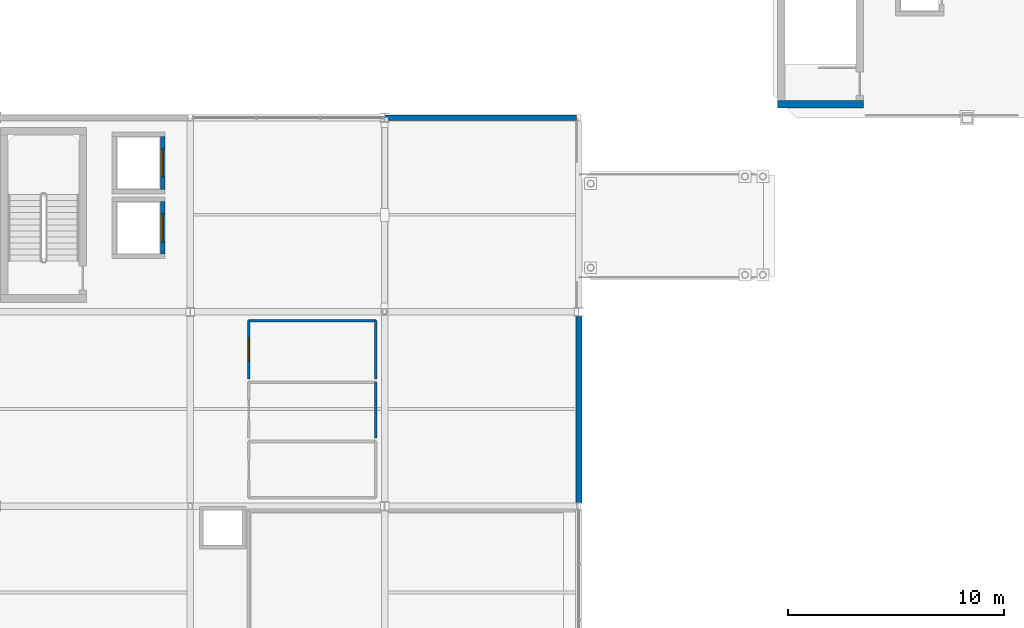
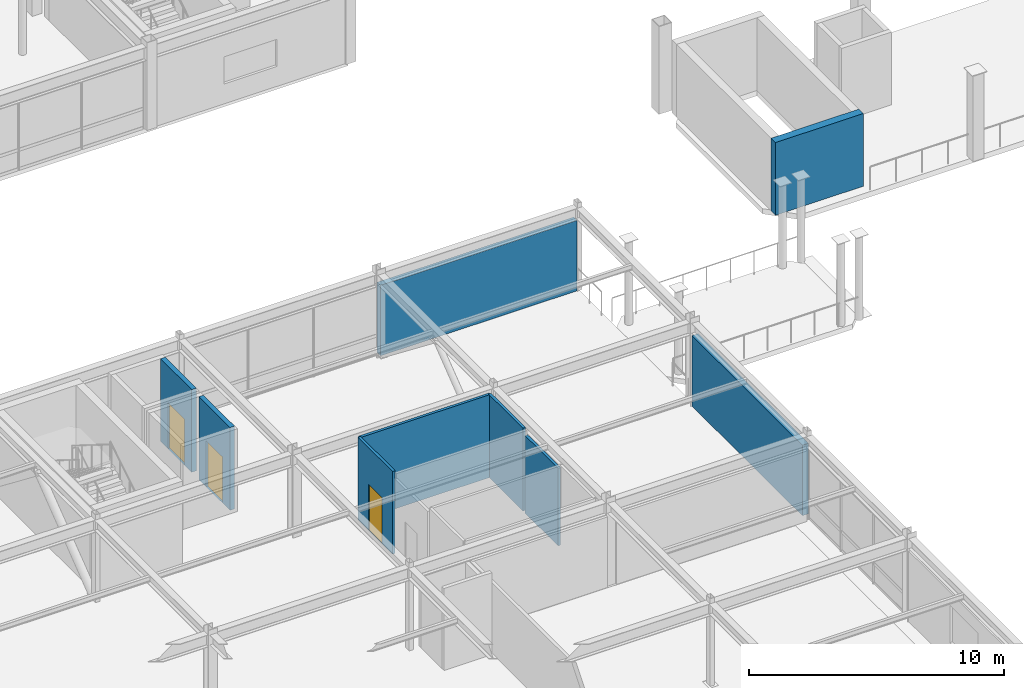
# One storey, part 73 of 105: 9 walls, 3 doors, 3 openings.
"""IFC4 building model written with IfcOpenShell, lengths in metres."""

from ifc_helpers import new_model, si_unit, direction, frame, frame_2d, origin, place, context, subcontext, project, spatial, rectangle, extrude, material, layer, layer_set, type_object, element, fill, save


model = new_model("IFC4")

# Units and contexts
model_context = context("Model", 3, precision=1e-05, world=origin(), true_north=direction((0.0, 1.0)))
body_context = subcontext(model_context, "Body", "Model", "MODEL_VIEW")
ifc_project = project(units=[si_unit("LENGTHUNIT", "METRE"), si_unit("AREAUNIT", "SQUARE_METRE"), si_unit("VOLUMEUNIT", "CUBIC_METRE"), si_unit("PLANEANGLEUNIT", "RADIAN"), si_unit("MASSUNIT", "GRAM", prefix="KILO")], contexts=[model_context])

# Site, building, storey
site_placement = place(None, origin())
site = spatial("IfcSite", under=ifc_project, at=site_placement, CompositionType="ELEMENT")
building_placement = place(site_placement, origin())
building = spatial("IfcBuilding", under=site, at=building_placement, Name="Suzunagisa Mobility Hub", CompositionType="ELEMENT")
storey_placement = place(building_placement, frame((0.0, 0.0, 5.10009765625)))
storey = spatial("IfcBuildingStorey", under=building, at=storey_placement, Name="L01", CompositionType="ELEMENT", Elevation=5.10009765625)

# Walls
ifc_material_1 = material(Name="Porcelain-Faced Insulated Concrete C30/37 Wall", Category="concrete")
ifc_layer_1 = layer(ifc_material_1, 0.260009765625)
ifc_layer_set_1 = layer_set([ifc_layer_1], Name="Porcelain-Faced Insulated Concrete C30/37 Wall")
wall_type_1 = type_object("IfcWallType", Name="Exterior Wall EW-03 260mm", PredefinedType="SOLIDWALL", material=ifc_layer_set_1)
wall_1_placement = place(storey_placement, frame((35.89990234375, 62.0, 0.0), z_axis=(0.0, 0.0, 1.0), x_axis=(-1.0, 0.0, 0.0)))
element("IfcWall", 1, at=wall_1_placement, inside=storey, type_object=wall_type_1, Name="L01 Exterior Facade Wall EW-42", PredefinedType="SOLIDWALL", context=body_context, shape_type="SweptSolid", body=[
    extrude(rectangle(XDim=8.8955078125, YDim=0.260009765625, at=frame_2d((4.44775390625, 0.0))), origin(), (0.0, 0.0, 1.0), 3.371826171875),
])
ifc_layer_2 = layer(ifc_material_1, 0.280029296875)
ifc_layer_set_2 = layer_set([ifc_layer_2], Name="Porcelain-Faced Insulated Concrete C30/37 Wall")
wall_type_2 = type_object("IfcWallType", Name="Exterior Wall EW-08 280mm", PredefinedType="SOLIDWALL", material=ifc_layer_set_2)
wall_2_placement = place(storey_placement, frame((36.0, 44.14990234375, 0.0), z_axis=(0.0, 0.0, 1.0), x_axis=(0.0, 1.0, 0.0)))
element("IfcWall", 2, at=wall_2_placement, inside=storey, type_object=wall_type_2, Name="L01 Exterior Facade Wall EW-41", PredefinedType="SOLIDWALL", context=body_context, shape_type="SweptSolid", body=[
    extrude(rectangle(XDim=8.650146484375, YDim=0.280029296875, at=frame_2d((4.3251953125, 0.0))), origin(), (0.0, 0.0, 1.0), 3.371826171875),
])
ifc_material_2 = material(Name="Moisture-Resistant Gypsum Partition", Category="gypsum")
ifc_layer_3 = layer(ifc_material_2, 0.1201171875)
ifc_layer_set_3 = layer_set([ifc_layer_3], Name="Moisture-Resistant Gypsum Partition")
wall_type_3 = type_object("IfcWallType", Name="Interior Wall IW-02 120mm", PredefinedType="PARTITIONING", material=ifc_layer_set_3)
wall_3_placement = place(storey_placement, frame((26.60009765625, 47.14990234375, 0.0), z_axis=(0.0, 0.0, 1.0), x_axis=(0.0, 1.0, 0.0)))
element("IfcWall", 3, at=wall_3_placement, inside=storey, type_object=wall_type_3, Name="L01 West Concourse Female WC L01 Partition PW-661", PredefinedType="PARTITIONING", context=body_context, shape_type="SweptSolid", body=[
    extrude(rectangle(XDim=2.60009765625, YDim=0.1201171875, at=frame_2d((1.300048828125, 0.0))), origin(), (0.0, 0.0, 1.0), 3.7099609375),
])
wall_4_placement = place(storey_placement, frame((20.699951171875, 52.60009765625, 0.0), z_axis=(0.0, 0.0, 1.0), x_axis=(1.0, 0.0, 0.0)))
element("IfcWall", 4, at=wall_4_placement, inside=storey, type_object=wall_type_3, Name="L01 West Accessible WC L01 Partition PW-662", PredefinedType="PARTITIONING", context=body_context, shape_type="SweptSolid", body=[
    extrude(rectangle(XDim=5.900146484375, YDim=0.1201171875, at=frame_2d((2.9501953125, 0.0))), origin(), (0.0, 0.0, 1.0), 3.9599609375),
])

# Wall, opening, door
wall_5_placement = place(storey_placement, frame((20.699951171875, 49.89990234375, 0.0), z_axis=(0.0, 0.0, 1.0), x_axis=(0.0, 1.0, 0.0)))
wall_5 = element("IfcWall", 5, at=wall_5_placement, inside=storey, type_object=wall_type_3, Name="L01 West Accessible WC L01 Partition PW-663", PredefinedType="PARTITIONING", context=body_context, shape_type="SweptSolid", body=[
    extrude(rectangle(XDim=2.7001953125, YDim=0.1201171875, at=frame_2d((1.35009765625, 0.0))), origin(), (0.0, 0.0, 1.0), 3.9599609375),
])
opening_1_placement = place(wall_5_placement, frame((0.824951171875, 0.0, 0.0)))
opening_1 = element("IfcOpeningElement", 6, at=opening_1_placement, cuts=wall_5, Name="Opening DR-16", PredefinedType="OPENING", context=body_context, shape_type="SweptSolid", body=[
    extrude(rectangle(XDim=1.050048828125, YDim=2.199951171875, at=frame_2d((0.52490234375, 1.10009765625))), frame((0.0, 0.071044921875, 0.0), z_axis=(0.0, -1.0, 0.0), x_axis=(1.0, 0.0, 0.0)), (0.0, 0.0, 1.0), 0.14208984375),
])
ifc_material_3 = material(Name="Barrier-Free Club Accessible WC Door")
door_type_1 = type_object("IfcDoorType", Name="Interior Door DR-16 1050x2200", OperationType="SINGLE_SWING_LEFT", PredefinedType="DOOR", material=ifc_material_3)
door_1_placement = place(opening_1_placement, origin())
door_1 = element("IfcDoor", 7, at=door_1_placement, inside=storey, type_object=door_type_1, Name="L01 West Accessible WC L01 Door DR-166", OperationType="SINGLE_SWING_LEFT", OverallHeight=2.199951171875, OverallWidth=1.050048828125, PredefinedType="DOOR", context=body_context, shape_type="SweptSolid", body=[
    extrude(rectangle(XDim=1.050048828125, YDim=2.199951171875, at=frame_2d((0.52490234375, 1.10009765625))), frame((0.0, 0.02490234375, 0.0), z_axis=(0.0, -1.0, 0.0), x_axis=(1.0, 0.0, 0.0)), (0.0, 0.0, 1.0), 0.050048828125),
])
fill(opening_1, door_1)

# Wall
wall_6_placement = place(storey_placement, frame((26.60009765625, 49.89990234375, 0.0), z_axis=(0.0, 0.0, 1.0), x_axis=(0.0, 1.0, 0.0)))
element("IfcWall", 8, at=wall_6_placement, inside=storey, type_object=wall_type_3, Name="L01 West Accessible WC L01 Partition PW-664", PredefinedType="PARTITIONING", context=body_context, shape_type="SweptSolid", body=[
    extrude(rectangle(XDim=2.7001953125, YDim=0.1201171875, at=frame_2d((1.35009765625, 0.0))), origin(), (0.0, 0.0, 1.0), 3.9599609375),
])

# Wall, opening, door
ifc_material_4 = material(Name="Fire-Rated Gypsum Stud Partition", Category="gypsum")
ifc_layer_4 = layer(ifc_material_4, 0.2099609375)
ifc_layer_set_4 = layer_set([ifc_layer_4], Name="Fire-Rated Gypsum Stud Partition")
wall_type_4 = type_object("IfcWallType", Name="Interior Wall IW-03 210mm", PredefinedType="PARTITIONING", material=ifc_layer_set_4)
wall_7_placement = place(storey_placement, frame((16.72509765625, 55.679931640625, 0.0), z_axis=(0.0, 0.0, 1.0), x_axis=(0.0, 1.0, 0.0)))
wall_7 = element("IfcWall", 9, at=wall_7_placement, inside=storey, type_object=wall_type_4, Name="L01 Lift LF-01 Shaft Front Wall", PredefinedType="PARTITIONING", context=body_context, shape_type="SweptSolid", body=[
    extrude(rectangle(XDim=2.440185546875, YDim=0.2099609375, at=frame_2d((1.22021484375, 0.0))), origin(), (0.0, 0.0, 1.0), 3.9599609375),
])
opening_2_placement = place(wall_7_placement, frame((0.570068359375, 0.0, 0.0)))
opening_2 = element("IfcOpeningElement", 10, at=opening_2_placement, cuts=wall_7, Name="Opening LD-02", PredefinedType="OPENING", context=body_context, shape_type="SweptSolid", body=[
    extrude(rectangle(XDim=1.300048828125, YDim=2.199951171875, at=frame_2d((0.64990234375, 1.10009765625))), frame((0.0, 0.115966796875, 0.0), z_axis=(0.0, -1.0, 0.0), x_axis=(1.0, 0.0, 0.0)), (0.0, 0.0, 1.0), 0.23193359375),
])
ifc_material_5 = material(Name="Brushed Stainless Steel SUS304", Category="metal")
door_type_2 = type_object("IfcDoorType", Name="Lift Landing Sliding Door LD-02 1300x2200", OperationType="SLIDING_TO_LEFT", PredefinedType="DOOR", material=ifc_material_5)
door_2_placement = place(opening_2_placement, origin())
door_2 = element("IfcDoor", 11, at=door_2_placement, inside=storey, type_object=door_type_2, Name="L01 Lift LF-01 Sliding Landing Door", OperationType="SLIDING_TO_RIGHT", OverallHeight=2.199951171875, OverallWidth=1.300048828125, PredefinedType="DOOR", context=body_context, shape_type="SweptSolid", body=[
    extrude(rectangle(XDim=1.300048828125, YDim=2.199951171875, at=frame_2d((0.64990234375, 1.10009765625))), frame((0.0, 0.02490234375, 0.0), z_axis=(0.0, -1.0, 0.0), x_axis=(1.0, 0.0, 0.0)), (0.0, 0.0, 1.0), 0.050048828125),
])
fill(opening_2, door_2)

wall_8_placement = place(storey_placement, frame((16.72509765625, 58.679931640625, 0.0), z_axis=(0.0, 0.0, 1.0), x_axis=(0.0, 1.0, 0.0)))
wall_8 = element("IfcWall", 12, at=wall_8_placement, inside=storey, type_object=wall_type_4, Name="L01 Lift LF-02 Shaft Front Wall", PredefinedType="PARTITIONING", context=body_context, shape_type="SweptSolid", body=[
    extrude(rectangle(XDim=2.440185546875, YDim=0.2099609375, at=frame_2d((1.22021484375, 0.0))), origin(), (0.0, 0.0, 1.0), 3.9599609375),
])
opening_3_placement = place(wall_8_placement, frame((0.570068359375, 0.0, 0.0)))
opening_3 = element("IfcOpeningElement", 13, at=opening_3_placement, cuts=wall_8, Name="Opening LD-02", PredefinedType="OPENING", context=body_context, shape_type="SweptSolid", body=[
    extrude(rectangle(XDim=1.300048828125, YDim=2.199951171875, at=frame_2d((0.64990234375, 1.10009765625))), frame((0.0, 0.115966796875, 0.0), z_axis=(0.0, -1.0, 0.0), x_axis=(1.0, 0.0, 0.0)), (0.0, 0.0, 1.0), 0.23193359375),
])
door_3_placement = place(opening_3_placement, origin())
door_3 = element("IfcDoor", 14, at=door_3_placement, inside=storey, type_object=door_type_2, Name="L01 Lift LF-02 Sliding Landing Door", OperationType="SLIDING_TO_LEFT", OverallHeight=2.199951171875, OverallWidth=1.300048828125, PredefinedType="DOOR", context=body_context, shape_type="SweptSolid", body=[
    extrude(rectangle(XDim=1.300048828125, YDim=2.199951171875, at=frame_2d((0.64990234375, 1.10009765625))), frame((0.0, 0.02490234375, 0.0), z_axis=(0.0, -1.0, 0.0), x_axis=(1.0, 0.0, 0.0)), (0.0, 0.0, 1.0), 0.050048828125),
])
fill(opening_3, door_3)

# Wall
ifc_material_6 = material(Name="Concrete C35/45", Category="concrete")
ifc_layer_5 = layer(ifc_material_6, 0.35009765625)
ifc_layer_set_5 = layer_set([ifc_layer_5], Name="Concrete C35/45")
wall_type_5 = type_object("IfcWallType", Name="Interior Wall IW-04 350mm", PredefinedType="SHEAR", material=ifc_layer_set_5)
wall_9_placement = place(storey_placement, frame((45.2099609375, 62.625, 0.0), z_axis=(0.0, 0.0, 1.0), x_axis=(1.0, 0.0, 0.0)))
element("IfcWall", 15, at=wall_9_placement, inside=storey, type_object=wall_type_5, Name="L01 Core C2 Shear Wall SW-89", PredefinedType="SHEAR", context=body_context, shape_type="SweptSolid", body=[
    extrude(rectangle(XDim=3.97998046875, YDim=0.35009765625, at=frame_2d((1.989990234375, 0.0))), origin(), (0.0, 0.0, 1.0), 3.47998046875),
])

save(model, "model.ifc")
